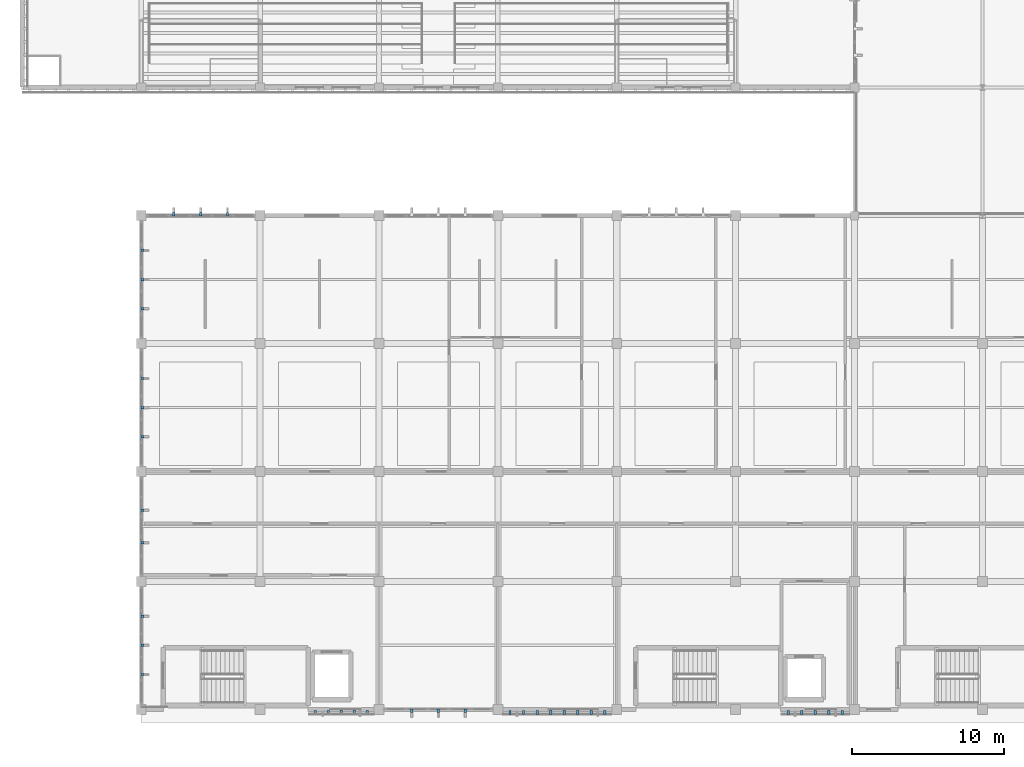
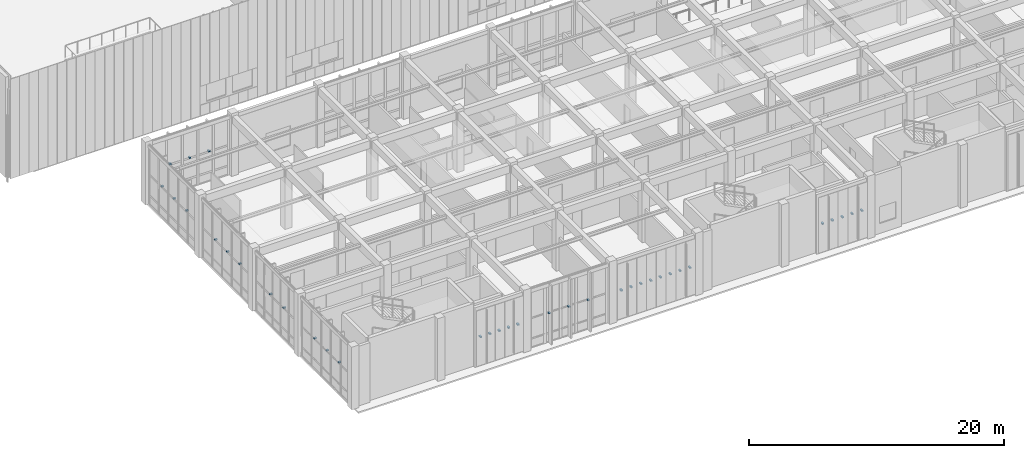
# One storey, part 80 of 105: 35 discrete accessories.
"""IFC4 building model written with IfcOpenShell, lengths in metres."""

from ifc_helpers import new_model, si_unit, direction, frame, origin, origin_2d, place, context, subcontext, project, spatial, rectangle, extrude, material, type_object, element, save


model = new_model("IFC4")

# Units and contexts
model_context = context("Model", 3, precision=1e-05, world=origin(), true_north=direction((0.0, 1.0)))
body_context = subcontext(model_context, "Body", "Model", "MODEL_VIEW")
ifc_project = project(units=[si_unit("LENGTHUNIT", "METRE"), si_unit("AREAUNIT", "SQUARE_METRE"), si_unit("VOLUMEUNIT", "CUBIC_METRE"), si_unit("PLANEANGLEUNIT", "RADIAN"), si_unit("MASSUNIT", "GRAM", prefix="KILO")], contexts=[model_context])

# Site, building, storey
site_placement = place(None, origin())
site = spatial("IfcSite", under=ifc_project, at=site_placement, CompositionType="ELEMENT")
building_placement = place(site_placement, origin())
building = spatial("IfcBuilding", under=site, at=building_placement, Name="Tizgana Railside Sports Hall", CompositionType="ELEMENT")
storey_placement = place(building_placement, frame((0.0, 0.0, 6.0)))
storey = spatial("IfcBuildingStorey", under=building, at=storey_placement, Name="L01", CompositionType="ELEMENT", Elevation=6.0)

# Discrete accessories
ifc_material = material(Name="Steel S355J2", Category="steel")
discrete_accessory_type = type_object("IfcDiscreteAccessoryType", Name="Stainless Facade Support Bracket", PredefinedType="BRACKET", material=ifc_material)
for number, where, z_axis, x_axis, name in (
    (1, (22.625, -0.199951171875, 2.7900390625), (0.0, 0.0, 1.0), (-1.0, 0.0, 0.0), "L01 Screen Bracket"),
    (2, (21.77490234375, -0.199951171875, 2.7900390625), (0.0, 0.0, 1.0), (-1.0, 0.0, 0.0), "L01 Screen Bracket"),
    (3, (20.925048828125, -0.199951171875, 2.7900390625), (0.0, 0.0, 1.0), (-1.0, 0.0, 0.0), "L01 Screen Bracket"),
    (4, (20.074951171875, -0.199951171875, 2.7900390625), (0.0, 0.0, 1.0), (-1.0, 0.0, 0.0), "L01 Screen Bracket"),
    (5, (19.22509765625, -0.199951171875, 2.7900390625), (0.0, 0.0, 1.0), (-1.0, 0.0, 0.0), "L01 Screen Bracket"),
):
    element("IfcDiscreteAccessory", number, at=place(storey_placement, frame(where, z_axis=z_axis, x_axis=x_axis)), inside=storey, type_object=discrete_accessory_type, Name=name, PredefinedType="BRACKET", context=body_context, shape_type="SweptSolid", body=[
        extrude(rectangle(XDim=0.159912109375, YDim=0.25, at=origin_2d()), origin(), (0.0, 0.0, 1.0), 0.139892578125),
    ])
for number, where, z_axis, x_axis, name in (
    (6, (29.06005859375, -0.080078125, 2.800048828125), (0.0, 0.0, 1.0), (-1.0, 0.0, 0.0), "L01 Fin Bracket"),
    (7, (27.300048828125, -0.080078125, 2.800048828125), (0.0, 0.0, 1.0), (-1.0, 0.0, 0.0), "L01 Fin Bracket"),
    (8, (25.5400390625, -0.080078125, 2.800048828125), (0.0, 0.0, 1.0), (-1.0, 0.0, 0.0), "L01 Fin Bracket"),
):
    element("IfcDiscreteAccessory", number, at=place(storey_placement, frame(where, z_axis=z_axis, x_axis=x_axis)), inside=storey, type_object=discrete_accessory_type, Name=name, PredefinedType="BRACKET", context=body_context, shape_type="SweptSolid", body=[
        extrude(rectangle(XDim=0.159912109375, YDim=0.219970703125, at=origin_2d()), origin(), (0.0, 0.0, 1.0), 0.1201171875),
    ])
for number, where, z_axis, x_axis, name in (
    (9, (38.206298828125, -0.199951171875, 2.7900390625), (0.0, 0.0, 1.0), (-1.0, 0.0, 0.0), "L01 Screen Bracket"),
    (10, (37.31884765625, -0.199951171875, 2.7900390625), (0.0, 0.0, 1.0), (-1.0, 0.0, 0.0), "L01 Screen Bracket"),
    (11, (36.43115234375, -0.199951171875, 2.7900390625), (0.0, 0.0, 1.0), (-1.0, 0.0, 0.0), "L01 Screen Bracket"),
    (12, (35.543701171875, -0.199951171875, 2.7900390625), (0.0, 0.0, 1.0), (-1.0, 0.0, 0.0), "L01 Screen Bracket"),
    (13, (34.65625, -0.199951171875, 2.7900390625), (0.0, 0.0, 1.0), (-1.0, 0.0, 0.0), "L01 Screen Bracket"),
    (14, (33.768798828125, -0.199951171875, 2.7900390625), (0.0, 0.0, 1.0), (-1.0, 0.0, 0.0), "L01 Screen Bracket"),
    (15, (32.88134765625, -0.199951171875, 2.7900390625), (0.0, 0.0, 1.0), (-1.0, 0.0, 0.0), "L01 Screen Bracket"),
    (16, (31.99365234375, -0.199951171875, 2.7900390625), (0.0, 0.0, 1.0), (-1.0, 0.0, 0.0), "L01 Screen Bracket"),
    (17, (53.804931640625, -0.199951171875, 2.7900390625), (0.0, 0.0, 1.0), (-1.0, 0.0, 0.0), "L01 Screen Bracket"),
    (18, (52.9150390625, -0.199951171875, 2.7900390625), (0.0, 0.0, 1.0), (-1.0, 0.0, 0.0), "L01 Screen Bracket"),
    (19, (52.02490234375, -0.199951171875, 2.7900390625), (0.0, 0.0, 1.0), (-1.0, 0.0, 0.0), "L01 Screen Bracket"),
    (20, (51.135009765625, -0.199951171875, 2.7900390625), (0.0, 0.0, 1.0), (-1.0, 0.0, 0.0), "L01 Screen Bracket"),
    (21, (50.2451171875, -0.199951171875, 2.7900390625), (0.0, 0.0, 1.0), (-1.0, 0.0, 0.0), "L01 Screen Bracket"),
):
    element("IfcDiscreteAccessory", number, at=place(storey_placement, frame(where, z_axis=z_axis, x_axis=x_axis)), inside=storey, type_object=discrete_accessory_type, Name=name, PredefinedType="BRACKET", context=body_context, shape_type="SweptSolid", body=[
        extrude(rectangle(XDim=0.159912109375, YDim=0.25, at=origin_2d()), origin(), (0.0, 0.0, 1.0), 0.139892578125),
    ])
for number, where, z_axis, x_axis, name in (
    (22, (9.93994140625, 32.47998046875, 2.800048828125), (0.0, 0.0, 1.0), (1.0, 0.0, 0.0), "L01 Fin Bracket"),
    (23, (11.699951171875, 32.47998046875, 2.800048828125), (0.0, 0.0, 1.0), (1.0, 0.0, 0.0), "L01 Fin Bracket"),
    (24, (13.4599609375, 32.47998046875, 2.800048828125), (0.0, 0.0, 1.0), (1.0, 0.0, 0.0), "L01 Fin Bracket"),
    (25, (7.8798828125, 6.110107421875, 2.800048828125), (0.0, 0.0, 1.0), (0.0, -1.0, 0.0), "L01 Fin Bracket"),
    (26, (7.8798828125, 4.199951171875, 2.800048828125), (0.0, 0.0, 1.0), (0.0, -1.0, 0.0), "L01 Fin Bracket"),
    (27, (7.8798828125, 2.2900390625, 2.800048828125), (0.0, 0.0, 1.0), (0.0, -1.0, 0.0), "L01 Fin Bracket"),
    (28, (7.8798828125, 13.0732421875, 2.800048828125), (0.0, 0.0, 1.0), (0.0, -1.0, 0.0), "L01 Fin Bracket"),
    (29, (7.8798828125, 10.9267578125, 2.800048828125), (0.0, 0.0, 1.0), (0.0, -1.0, 0.0), "L01 Fin Bracket"),
    (30, (7.8798828125, 21.7099609375, 2.800048828125), (0.0, 0.0, 1.0), (0.0, -1.0, 0.0), "L01 Fin Bracket"),
    (31, (7.8798828125, 19.800048828125, 2.800048828125), (0.0, 0.0, 1.0), (0.0, -1.0, 0.0), "L01 Fin Bracket"),
    (32, (7.8798828125, 17.889892578125, 2.800048828125), (0.0, 0.0, 1.0), (0.0, -1.0, 0.0), "L01 Fin Bracket"),
    (33, (7.8798828125, 30.110107421875, 2.800048828125), (0.0, 0.0, 1.0), (0.0, -1.0, 0.0), "L01 Fin Bracket"),
    (34, (7.8798828125, 28.199951171875, 2.800048828125), (0.0, 0.0, 1.0), (0.0, -1.0, 0.0), "L01 Fin Bracket"),
    (35, (7.8798828125, 26.2900390625, 2.800048828125), (0.0, 0.0, 1.0), (0.0, -1.0, 0.0), "L01 Fin Bracket"),
):
    element("IfcDiscreteAccessory", number, at=place(storey_placement, frame(where, z_axis=z_axis, x_axis=x_axis)), inside=storey, type_object=discrete_accessory_type, Name=name, PredefinedType="BRACKET", context=body_context, shape_type="SweptSolid", body=[
        extrude(rectangle(XDim=0.159912109375, YDim=0.219970703125, at=origin_2d()), origin(), (0.0, 0.0, 1.0), 0.1201171875),
    ])

save(model, "model.ifc")
